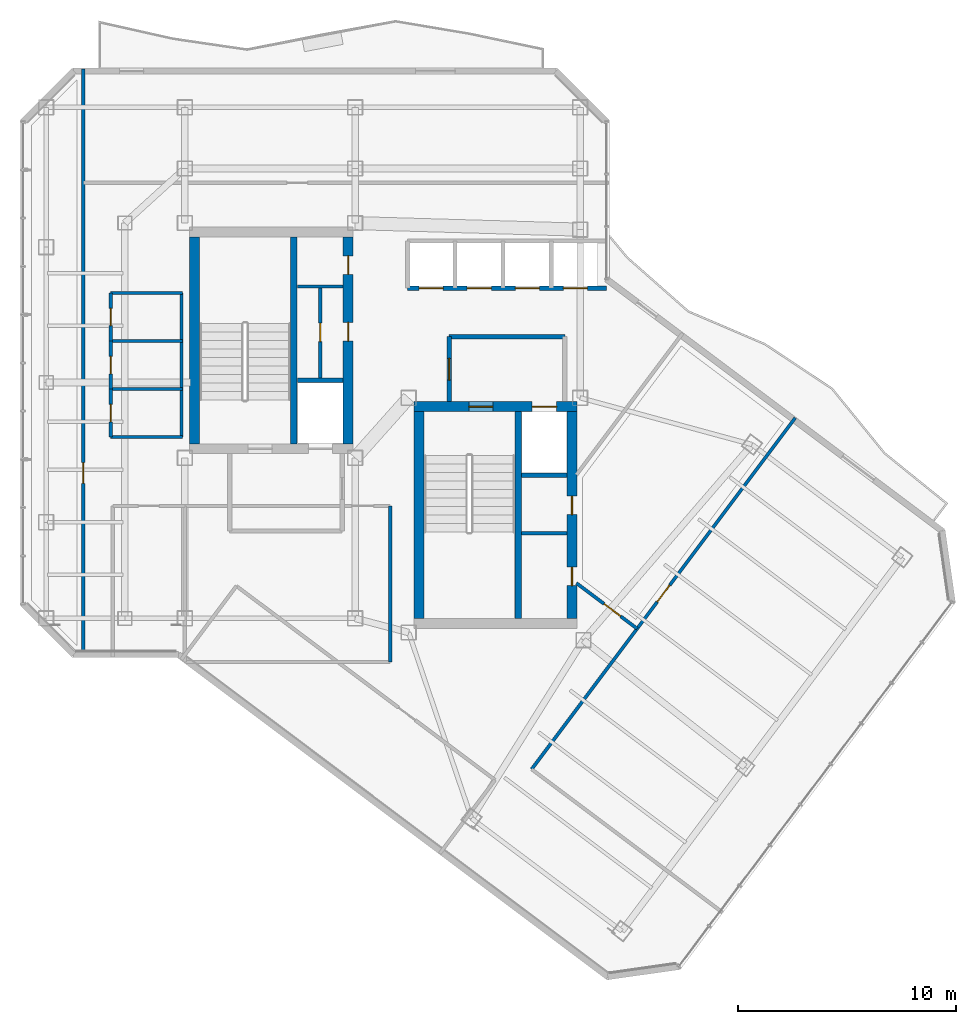
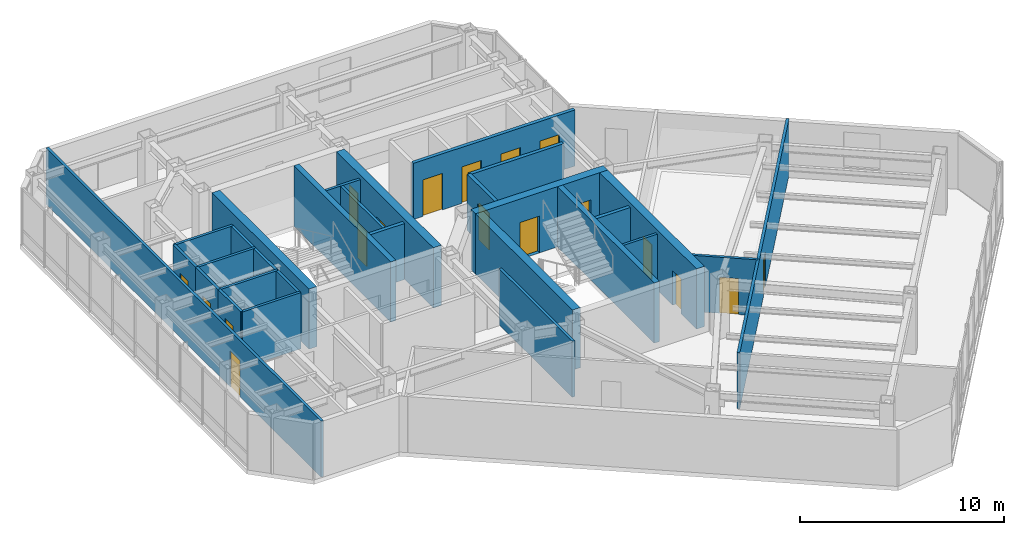
# One storey, part 20 of 25: 27 walls, 18 doors, 18 openings.
"""IFC4 building model written with IfcOpenShell, lengths in metres."""

from ifc_helpers import new_model, si_unit, direction, frame, frame_2d, origin, place, context, subcontext, project, spatial, rectangle, extrude, material, layer, layer_set, type_object, element, fill, save


model = new_model("IFC4")

# Units and contexts
model_context = context("Model", 3, precision=1e-05, world=origin(), true_north=direction((0.0, 1.0)))
body_context = subcontext(model_context, "Body", "Model", "MODEL_VIEW")
ifc_project = project(units=[si_unit("LENGTHUNIT", "METRE"), si_unit("AREAUNIT", "SQUARE_METRE"), si_unit("VOLUMEUNIT", "CUBIC_METRE"), si_unit("PLANEANGLEUNIT", "RADIAN"), si_unit("MASSUNIT", "GRAM", prefix="KILO")], contexts=[model_context])

# Site, building, storey
site_placement = place(None, origin())
site = spatial("IfcSite", under=ifc_project, at=site_placement, CompositionType="ELEMENT")
building_placement = place(site_placement, origin())
building = spatial("IfcBuilding", under=site, at=building_placement, Name="Hatsunagi Terrace Concourse", CompositionType="ELEMENT")
storey_placement = place(building_placement, frame((0.0, 0.0, 220.35009765625)))
storey = spatial("IfcBuildingStorey", under=building, at=storey_placement, Name="L58", CompositionType="ELEMENT", Elevation=220.35009765625)

# Wall
ifc_material_1 = material(Name="Concrete Fc42", Category="concrete")
ifc_layer_1 = layer(ifc_material_1, 0.449951171875)
ifc_layer_set_1 = layer_set([ifc_layer_1], Name="CoreShearWall_Fc42_450")
wall_type_1 = type_object("IfcWallType", Name="CoreShearWall_Fc42_450", PredefinedType="SHEAR", material=ifc_layer_set_1)
wall_1_placement = place(storey_placement, frame((25.9951171875, 33.18994140625, 0.0), z_axis=(0.0, 0.0, 1.0), x_axis=(0.0, 1.0, 0.0)))
element("IfcWall", 1, at=wall_1_placement, inside=storey, type_object=wall_type_1, Name="Core A Shear Wall W L58", PredefinedType="SHEAR", context=body_context, shape_type="SweptSolid", body=[
    extrude(rectangle(XDim=9.47998046875, YDim=0.449951171875, at=frame_2d((4.739990234375, 0.0))), origin(), (0.0, 0.0, 1.0), 3.599853515625),
])

# Wall, openings, doors
wall_2_placement = place(storey_placement, frame((33.02490234375, 33.18994140625, 0.0), z_axis=(0.0, 0.0, 1.0), x_axis=(0.0, 1.0, 0.0)))
wall_2 = element("IfcWall", 2, at=wall_2_placement, inside=storey, type_object=wall_type_1, Name="Core A Shear Wall E L58", PredefinedType="SHEAR", context=body_context, shape_type="SweptSolid", body=[
    extrude(rectangle(XDim=9.47998046875, YDim=0.449951171875, at=frame_2d((4.739990234375, 0.0))), origin(), (0.0, 0.0, 1.0), 3.599853515625),
])
opening_1_placement = place(wall_2_placement, frame((4.7099609375, 0.0, 0.0)))
opening_1 = element("IfcOpeningElement", 3, at=opening_1_placement, cuts=wall_2, Name="Opening DR-085", PredefinedType="OPENING", context=body_context, shape_type="SweptSolid", body=[
    extrude(rectangle(XDim=0.85009765625, YDim=2.080078125, at=frame_2d((0.425048828125, 1.0400390625))), frame((0.0, 0.23486328125, 0.0), z_axis=(0.0, -1.0, 0.0), x_axis=(1.0, 0.0, 0.0)), (0.0, 0.0, 1.0), 0.469970703125),
])
opening_2_placement = place(wall_2_placement, frame((7.760009765625, 0.0, 0.0)))
opening_2 = element("IfcOpeningElement", 4, at=opening_2_placement, cuts=wall_2, Name="Opening DR-085", PredefinedType="OPENING", context=body_context, shape_type="SweptSolid", body=[
    extrude(rectangle(XDim=0.85009765625, YDim=2.080078125, at=frame_2d((0.425048828125, 1.0400390625))), frame((0.0, 0.23486328125, 0.0), z_axis=(0.0, -1.0, 0.0), x_axis=(1.0, 0.0, 0.0)), (0.0, 0.0, 1.0), 0.469970703125),
])
ifc_material_2 = material(Name="Painted steel", Category="steel")
door_type_1 = type_object("IfcDoorType", Name="RiserAccessDoor_EI60_850", OperationType="NOTDEFINED", PredefinedType="DOOR", material=ifc_material_2)
door_1_placement = place(opening_1_placement, origin())
door_1 = element("IfcDoor", 5, at=door_1_placement, inside=storey, type_object=door_type_1, Name="Core A Riser Door L58-1", OperationType="SINGLE_SWING_LEFT", OverallHeight=2.080078125, OverallWidth=0.85009765625, PredefinedType="DOOR", context=body_context, shape_type="SweptSolid", body=[
    extrude(rectangle(XDim=0.85009765625, YDim=2.080078125, at=frame_2d((0.425048828125, 1.0400390625))), frame((0.0, 0.02490234375, 0.0), z_axis=(0.0, -1.0, 0.0), x_axis=(1.0, 0.0, 0.0)), (0.0, 0.0, 1.0), 0.050048828125),
])
fill(opening_1, door_1)
door_2_placement = place(opening_2_placement, origin())
door_2 = element("IfcDoor", 6, at=door_2_placement, inside=storey, type_object=door_type_1, Name="Core A Riser Door L58-2", OperationType="SINGLE_SWING_LEFT", OverallHeight=2.080078125, OverallWidth=0.85009765625, PredefinedType="DOOR", context=body_context, shape_type="SweptSolid", body=[
    extrude(rectangle(XDim=0.85009765625, YDim=2.080078125, at=frame_2d((0.425048828125, 1.0400390625))), frame((0.0, 0.02490234375, 0.0), z_axis=(0.0, -1.0, 0.0), x_axis=(1.0, 0.0, 0.0)), (0.0, 0.0, 1.0), 0.050048828125),
])
fill(opening_2, door_2)

wall_3_placement = place(storey_placement, frame((36.0400390625, 34.89501953125, 0.0), z_axis=(0.0, 0.0, 1.0), x_axis=(1.0, 0.0, 0.0)))
wall_3 = element("IfcWall", 7, at=wall_3_placement, inside=storey, type_object=wall_type_1, Name="Core B Shear Wall N L58", PredefinedType="SHEAR", context=body_context, shape_type="SweptSolid", body=[
    extrude(rectangle(XDim=7.4599609375, YDim=0.449951171875, at=frame_2d((3.72998046875, 0.0))), origin(), (0.0, 0.0, 1.0), 3.599853515625),
])
opening_3_placement = place(wall_3_placement, frame((2.510009765625, 0.0, 0.0)))
opening_3 = element("IfcOpeningElement", 8, at=opening_3_placement, cuts=wall_3, Name="Opening DR-110S", PredefinedType="OPENING", context=body_context, shape_type="SweptSolid", body=[
    extrude(rectangle(XDim=1.10009765625, YDim=2.199951171875, at=frame_2d((0.550048828125, 1.10009765625))), frame((0.0, 0.23486328125, 0.0), z_axis=(0.0, -1.0, 0.0), x_axis=(1.0, 0.0, 0.0)), (0.0, 0.0, 1.0), 0.469970703125),
])
opening_4_placement = place(wall_3_placement, frame((5.409912109375, 0.0, 0.0)))
opening_4 = element("IfcOpeningElement", 9, at=opening_4_placement, cuts=wall_3, Name="Opening LD-02", PredefinedType="OPENING", context=body_context, shape_type="SweptSolid", body=[
    extrude(rectangle(XDim=1.1201171875, YDim=2.14990234375, at=frame_2d((0.56005859375, 1.074951171875))), frame((0.0, 0.23486328125, 0.0), z_axis=(0.0, -1.0, 0.0), x_axis=(1.0, 0.0, 0.0)), (0.0, 0.0, 1.0), 0.469970703125),
])
ifc_material_3 = material(Name="Stainless steel", Category="steel")
door_type_2 = type_object("IfcDoorType", Name="LiftLandingDoor_LD02", OperationType="SLIDING_TO_RIGHT", PredefinedType="USERDEFINED", material=ifc_material_3)
door_3_placement = place(opening_4_placement, origin())
door_3 = element("IfcDoor", 10, at=door_3_placement, inside=storey, type_object=door_type_2, Name="Lift landing door FF-02 L58", ObjectType="SLIDING_LANDING_DOOR", OperationType="SLIDING_TO_RIGHT", OverallHeight=2.14990234375, OverallWidth=1.1201171875, PredefinedType="USERDEFINED", context=body_context, shape_type="SweptSolid", body=[
    extrude(rectangle(XDim=1.1201171875, YDim=2.14990234375, at=frame_2d((0.56005859375, 1.074951171875))), frame((0.0, 0.02490234375, 0.0), z_axis=(0.0, -1.0, 0.0), x_axis=(1.0, 0.0, 0.0)), (0.0, 0.0, 1.0), 0.050048828125),
])
fill(opening_4, door_3)
ifc_material_4 = material(Name="Painted steel", Category="steel")
door_type_3 = type_object("IfcDoorType", Name="StairFireDoor_EI60_1100", OperationType="NOTDEFINED", PredefinedType="DOOR", material=ifc_material_4)
door_4_placement = place(opening_3_placement, origin())
door_4 = element("IfcDoor", 11, at=door_4_placement, inside=storey, type_object=door_type_3, Name="Stair ST-B Exit Door L58", OperationType="SINGLE_SWING_RIGHT", OverallHeight=2.199951171875, OverallWidth=1.10009765625, PredefinedType="DOOR", context=body_context, shape_type="SweptSolid", body=[
    extrude(rectangle(XDim=1.10009765625, YDim=2.199951171875, at=frame_2d((0.550048828125, 1.10009765625))), frame((0.0, 0.02490234375, 0.0), z_axis=(0.0, -1.0, 0.0), x_axis=(1.0, 0.0, 0.0)), (0.0, 0.0, 1.0), 0.050048828125),
])
fill(opening_3, door_4)

# Wall
wall_4_placement = place(storey_placement, frame((36.264892578125, 25.18994140625, 0.0), z_axis=(0.0, 0.0, 1.0), x_axis=(0.0, 1.0, 0.0)))
element("IfcWall", 12, at=wall_4_placement, inside=storey, type_object=wall_type_1, Name="Core B Shear Wall W L58", PredefinedType="SHEAR", context=body_context, shape_type="SweptSolid", body=[
    extrude(rectangle(XDim=9.47998046875, YDim=0.449951171875, at=frame_2d((4.739990234375, 0.0))), origin(), (0.0, 0.0, 1.0), 3.599853515625),
])

# Wall, openings, doors
wall_5_placement = place(storey_placement, frame((43.27490234375, 25.18994140625, 0.0), z_axis=(0.0, 0.0, 1.0), x_axis=(0.0, 1.0, 0.0)))
wall_5 = element("IfcWall", 13, at=wall_5_placement, inside=storey, type_object=wall_type_1, Name="Core B Shear Wall E L58", PredefinedType="SHEAR", context=body_context, shape_type="SweptSolid", body=[
    extrude(rectangle(XDim=9.47998046875, YDim=0.449951171875, at=frame_2d((4.739990234375, 0.0))), origin(), (0.0, 0.0, 1.0), 3.599853515625),
])
opening_5_placement = place(wall_5_placement, frame((1.510009765625, 0.0, 0.0)))
opening_5 = element("IfcOpeningElement", 14, at=opening_5_placement, cuts=wall_5, Name="Opening DR-085", PredefinedType="OPENING", context=body_context, shape_type="SweptSolid", body=[
    extrude(rectangle(XDim=0.85009765625, YDim=2.080078125, at=frame_2d((0.425048828125, 1.0400390625))), frame((0.0, 0.23486328125, 0.0), z_axis=(0.0, -1.0, 0.0), x_axis=(1.0, 0.0, 0.0)), (0.0, 0.0, 1.0), 0.469970703125),
])
opening_6_placement = place(wall_5_placement, frame((4.760009765625, 0.0, 0.0)))
opening_6 = element("IfcOpeningElement", 15, at=opening_6_placement, cuts=wall_5, Name="Opening DR-085", PredefinedType="OPENING", context=body_context, shape_type="SweptSolid", body=[
    extrude(rectangle(XDim=0.85009765625, YDim=2.080078125, at=frame_2d((0.425048828125, 1.0400390625))), frame((0.0, 0.23486328125, 0.0), z_axis=(0.0, -1.0, 0.0), x_axis=(1.0, 0.0, 0.0)), (0.0, 0.0, 1.0), 0.469970703125),
])
door_5_placement = place(opening_5_placement, origin())
door_5 = element("IfcDoor", 16, at=door_5_placement, inside=storey, type_object=door_type_1, Name="Core B Riser Door L58-1", OperationType="SINGLE_SWING_RIGHT", OverallHeight=2.080078125, OverallWidth=0.85009765625, PredefinedType="DOOR", context=body_context, shape_type="SweptSolid", body=[
    extrude(rectangle(XDim=0.85009765625, YDim=2.080078125, at=frame_2d((0.425048828125, 1.0400390625))), frame((0.0, 0.02490234375, 0.0), z_axis=(0.0, -1.0, 0.0), x_axis=(1.0, 0.0, 0.0)), (0.0, 0.0, 1.0), 0.050048828125),
])
fill(opening_5, door_5)
door_6_placement = place(opening_6_placement, origin())
door_6 = element("IfcDoor", 17, at=door_6_placement, inside=storey, type_object=door_type_1, Name="Core B Riser Door L58-2", OperationType="SINGLE_SWING_RIGHT", OverallHeight=2.080078125, OverallWidth=0.85009765625, PredefinedType="DOOR", context=body_context, shape_type="SweptSolid", body=[
    extrude(rectangle(XDim=0.85009765625, YDim=2.080078125, at=frame_2d((0.425048828125, 1.0400390625))), frame((0.0, 0.02490234375, 0.0), z_axis=(0.0, -1.0, 0.0), x_axis=(1.0, 0.0, 0.0)), (0.0, 0.0, 1.0), 0.050048828125),
])
fill(opening_6, door_6)

# Walls
ifc_material_5 = material(Name="Concrete Fc48", Category="concrete")
ifc_layer_2 = layer(ifc_material_5, 0.300048828125)
ifc_layer_set_2 = layer_set([ifc_layer_2], Name="CoreStairDivider_Fc48_300")
wall_type_2 = type_object("IfcWallType", Name="CoreStairDivider_Fc48_300", PredefinedType="SHEAR", material=ifc_layer_set_2)
for number, where, z_axis, x_axis, name in (
    (18, (30.5400390625, 33.18994140625, 0.0), (0.0, 0.0, 1.0), (0.0, 1.0, 0.0), "Core A Shear Wall D L58"),
    (19, (40.81005859375, 25.18994140625, 0.0), (0.0, 0.0, 1.0), (0.0, 1.0, 0.0), "Core B Shear Wall D L58"),
):
    element("IfcWall", number, at=place(storey_placement, frame(where, z_axis=z_axis, x_axis=x_axis)), inside=storey, type_object=wall_type_2, Name=name, PredefinedType="SHEAR", context=body_context, shape_type="SweptSolid", body=[
        extrude(rectangle(XDim=9.47998046875, YDim=0.300048828125, at=frame_2d((4.739990234375, 0.0))), origin(), (0.0, 0.0, 1.0), 3.599853515625),
    ])

# Wall, opening, door
ifc_material_6 = material(Name="Acoustic mineral board", Category="gypsum")
ifc_layer_3 = layer(ifc_material_6, 0.14990234375)
ifc_layer_set_3 = layer_set([ifc_layer_3], Name="PartitionWall_EI60_150")
wall_type_3 = type_object("IfcWallType", Name="PartitionWall_EI60_150", PredefinedType="PARTITIONING", material=ifc_layer_set_3)
wall_6_placement = place(storey_placement, frame((31.75, 36.179931640625, 0.0), z_axis=(0.0, 0.0, 1.0), x_axis=(0.0, 1.0, 0.0)))
wall_6 = element("IfcWall", 20, at=wall_6_placement, inside=storey, type_object=wall_type_3, Name="Interior Partition IW-L58-002", PredefinedType="PARTITIONING", context=body_context, shape_type="SweptSolid", body=[
    extrude(rectangle(XDim=4.239990234375, YDim=0.14990234375, at=frame_2d((2.1201171875, 0.0))), origin(), (0.0, 0.0, 1.0), 3.349853515625),
])
opening_7_placement = place(wall_6_placement, frame((1.695068359375, 0.0, 0.0)))
opening_7 = element("IfcOpeningElement", 21, at=opening_7_placement, cuts=wall_6, Name="Opening DR-085", PredefinedType="OPENING", context=body_context, shape_type="SweptSolid", body=[
    extrude(rectangle(XDim=0.85009765625, YDim=2.080078125, at=frame_2d((0.425048828125, 1.0400390625))), frame((0.0, 0.0849609375, 0.0), z_axis=(0.0, -1.0, 0.0), x_axis=(1.0, 0.0, 0.0)), (0.0, 0.0, 1.0), 0.169921875),
])
door_7_placement = place(opening_7_placement, origin())
door_7 = element("IfcDoor", 22, at=door_7_placement, inside=storey, type_object=door_type_1, Name="Core A Sub-Riser Door L58", OperationType="SINGLE_SWING_LEFT", OverallHeight=2.080078125, OverallWidth=0.85009765625, PredefinedType="DOOR", context=body_context, shape_type="SweptSolid", body=[
    extrude(rectangle(XDim=0.85009765625, YDim=2.080078125, at=frame_2d((0.425048828125, 1.0400390625))), frame((0.0, 0.02490234375, 0.0), z_axis=(0.0, -1.0, 0.0), x_axis=(1.0, 0.0, 0.0)), (0.0, 0.0, 1.0), 0.050048828125),
])
fill(opening_7, door_7)

# Walls
wall_7_placement = place(storey_placement, frame((30.699951171875, 40.39990234375, 0.0), z_axis=(0.0, 0.0, 1.0), x_axis=(1.0, 0.0, 0.0)))
element("IfcWall", 23, at=wall_7_placement, inside=storey, type_object=wall_type_3, Name="Interior Partition IW-L58-003", PredefinedType="PARTITIONING", context=body_context, shape_type="SweptSolid", body=[
    extrude(rectangle(XDim=2.10009765625, YDim=0.14990234375, at=frame_2d((1.050048828125, 0.0))), origin(), (0.0, 0.0, 1.0), 3.349853515625),
])
wall_8_placement = place(storey_placement, frame((40.969970703125, 29.10009765625, 0.0), z_axis=(0.0, 0.0, 1.0), x_axis=(1.0, 0.0, 0.0)))
element("IfcWall", 24, at=wall_8_placement, inside=storey, type_object=wall_type_3, Name="Interior Partition IW-L58-005", PredefinedType="PARTITIONING", context=body_context, shape_type="SweptSolid", body=[
    extrude(rectangle(XDim=2.080078125, YDim=0.14990234375, at=frame_2d((1.0400390625, 0.0))), origin(), (0.0, 0.0, 1.0), 3.349853515625),
])
for number, where, z_axis, x_axis, name in (
    (25, (22.14990234375, 33.5, 0.0), (0.0, 0.0, 1.0), (1.0, 0.0, 0.0), "Interior Partition IW-L58-018"),
    (26, (22.14990234375, 40.10009765625, 0.0), (0.0, 0.0, 1.0), (1.0, 0.0, 0.0), "Interior Partition IW-L58-019"),
):
    element("IfcWall", number, at=place(storey_placement, frame(where, z_axis=z_axis, x_axis=x_axis)), inside=storey, type_object=wall_type_3, Name=name, PredefinedType="PARTITIONING", context=body_context, shape_type="SweptSolid", body=[
        extrude(rectangle(XDim=3.300048828125, YDim=0.14990234375, at=frame_2d((1.64990234375, 0.0))), origin(), (0.0, 0.0, 1.0), 3.349853515625),
    ])
wall_9_placement = place(storey_placement, frame((25.39990234375, 33.5, 0.0), z_axis=(0.0, 0.0, 1.0), x_axis=(0.0, 1.0, 0.0)))
element("IfcWall", 27, at=wall_9_placement, inside=storey, type_object=wall_type_3, Name="Interior Partition IW-L58-020", PredefinedType="PARTITIONING", context=body_context, shape_type="SweptSolid", body=[
    extrude(rectangle(XDim=6.60009765625, YDim=0.14990234375, at=frame_2d((3.300048828125, 0.0))), origin(), (0.0, 0.0, 1.0), 3.349853515625),
])
for number, where, z_axis, x_axis, name in (
    (28, (22.14990234375, 35.699951171875, 0.0), (0.0, 0.0, 1.0), (1.0, 0.0, 0.0), "Interior Partition IW-L58-021"),
    (29, (22.14990234375, 37.89990234375, 0.0), (0.0, 0.0, 1.0), (1.0, 0.0, 0.0), "Interior Partition IW-L58-022"),
):
    element("IfcWall", number, at=place(storey_placement, frame(where, z_axis=z_axis, x_axis=x_axis)), inside=storey, type_object=wall_type_3, Name=name, PredefinedType="PARTITIONING", context=body_context, shape_type="SweptSolid", body=[
        extrude(rectangle(XDim=3.300048828125, YDim=0.14990234375, at=frame_2d((1.64990234375, 0.0))), origin(), (0.0, 0.0, 1.0), 3.349853515625),
    ])

# Wall, opening, door
wall_10_placement = place(storey_placement, frame((22.14990234375, 33.5, 0.0), z_axis=(0.0, 0.0, 1.0), x_axis=(0.0, 1.0, 0.0)))
wall_10 = element("IfcWall", 30, at=wall_10_placement, inside=storey, type_object=wall_type_3, Name="Interior Partition IW-L58-023", PredefinedType="PARTITIONING", context=body_context, shape_type="SweptSolid", body=[
    extrude(rectangle(XDim=2.199951171875, YDim=0.14990234375, at=frame_2d((1.10009765625, 0.0))), origin(), (0.0, 0.0, 1.0), 3.349853515625),
])
opening_8_placement = place(wall_10_placement, frame((0.699951171875, 0.0, 0.0)))
opening_8 = element("IfcOpeningElement", 31, at=opening_8_placement, cuts=wall_10, Name="Opening DR-080", PredefinedType="OPENING", context=body_context, shape_type="SweptSolid", body=[
    extrude(rectangle(XDim=0.800048828125, YDim=2.06005859375, at=frame_2d((0.39990234375, 1.030029296875))), frame((0.0, 0.0849609375, 0.0), z_axis=(0.0, -1.0, 0.0), x_axis=(1.0, 0.0, 0.0)), (0.0, 0.0, 1.0), 0.169921875),
])
ifc_material_7 = material(Name="Hardwood timber", Category="wood")
door_type_4 = type_object("IfcDoorType", Name="BathroomDoor_800", OperationType="NOTDEFINED", PredefinedType="DOOR", material=ifc_material_7)
door_8_placement = place(opening_8_placement, origin())
door_8 = element("IfcDoor", 32, at=door_8_placement, inside=storey, type_object=door_type_4, Name="Accessible WC Door L58", OperationType="SINGLE_SWING_RIGHT", OverallHeight=2.06005859375, OverallWidth=0.800048828125, PredefinedType="DOOR", context=body_context, shape_type="SweptSolid", body=[
    extrude(rectangle(XDim=0.800048828125, YDim=2.06005859375, at=frame_2d((0.39990234375, 1.030029296875))), frame((0.0, 0.02490234375, 0.0), z_axis=(0.0, -1.0, 0.0), x_axis=(1.0, 0.0, 0.0)), (0.0, 0.0, 1.0), 0.050048828125),
])
fill(opening_8, door_8)

wall_11_placement = place(storey_placement, frame((22.14990234375, 35.699951171875, 0.0), z_axis=(0.0, 0.0, 1.0), x_axis=(0.0, 1.0, 0.0)))
wall_11 = element("IfcWall", 33, at=wall_11_placement, inside=storey, type_object=wall_type_3, Name="Interior Partition IW-L58-024", PredefinedType="PARTITIONING", context=body_context, shape_type="SweptSolid", body=[
    extrude(rectangle(XDim=2.199951171875, YDim=0.14990234375, at=frame_2d((1.10009765625, 0.0))), origin(), (0.0, 0.0, 1.0), 3.349853515625),
])
opening_9_placement = place(wall_11_placement, frame((0.699951171875, 0.0, 0.0)))
opening_9 = element("IfcOpeningElement", 34, at=opening_9_placement, cuts=wall_11, Name="Opening DR-080", PredefinedType="OPENING", context=body_context, shape_type="SweptSolid", body=[
    extrude(rectangle(XDim=0.800048828125, YDim=2.06005859375, at=frame_2d((0.39990234375, 1.030029296875))), frame((0.0, 0.0849609375, 0.0), z_axis=(0.0, -1.0, 0.0), x_axis=(1.0, 0.0, 0.0)), (0.0, 0.0, 1.0), 0.169921875),
])
door_9_placement = place(opening_9_placement, origin())
door_9 = element("IfcDoor", 35, at=door_9_placement, inside=storey, type_object=door_type_4, Name="Female Restroom Door L58", OperationType="SINGLE_SWING_RIGHT", OverallHeight=2.06005859375, OverallWidth=0.800048828125, PredefinedType="DOOR", context=body_context, shape_type="SweptSolid", body=[
    extrude(rectangle(XDim=0.800048828125, YDim=2.06005859375, at=frame_2d((0.39990234375, 1.030029296875))), frame((0.0, 0.02490234375, 0.0), z_axis=(0.0, -1.0, 0.0), x_axis=(1.0, 0.0, 0.0)), (0.0, 0.0, 1.0), 0.050048828125),
])
fill(opening_9, door_9)

wall_12_placement = place(storey_placement, frame((22.14990234375, 37.89990234375, 0.0), z_axis=(0.0, 0.0, 1.0), x_axis=(0.0, 1.0, 0.0)))
wall_12 = element("IfcWall", 36, at=wall_12_placement, inside=storey, type_object=wall_type_3, Name="Interior Partition IW-L58-025", PredefinedType="PARTITIONING", context=body_context, shape_type="SweptSolid", body=[
    extrude(rectangle(XDim=2.2001953125, YDim=0.14990234375, at=frame_2d((1.10009765625, 0.0))), origin(), (0.0, 0.0, 1.0), 3.349853515625),
])
opening_10_placement = place(wall_12_placement, frame((0.699951171875, 0.0, 0.0)))
opening_10 = element("IfcOpeningElement", 37, at=opening_10_placement, cuts=wall_12, Name="Opening DR-080", PredefinedType="OPENING", context=body_context, shape_type="SweptSolid", body=[
    extrude(rectangle(XDim=0.800048828125, YDim=2.06005859375, at=frame_2d((0.39990234375, 1.030029296875))), frame((0.0, 0.0849609375, 0.0), z_axis=(0.0, -1.0, 0.0), x_axis=(1.0, 0.0, 0.0)), (0.0, 0.0, 1.0), 0.169921875),
])
door_10_placement = place(opening_10_placement, origin())
door_10 = element("IfcDoor", 38, at=door_10_placement, inside=storey, type_object=door_type_4, Name="Male Restroom Door L58", OperationType="SINGLE_SWING_RIGHT", OverallHeight=2.06005859375, OverallWidth=0.800048828125, PredefinedType="DOOR", context=body_context, shape_type="SweptSolid", body=[
    extrude(rectangle(XDim=0.800048828125, YDim=2.06005859375, at=frame_2d((0.39990234375, 1.030029296875))), frame((0.0, 0.02490234375, 0.0), z_axis=(0.0, -1.0, 0.0), x_axis=(1.0, 0.0, 0.0)), (0.0, 0.0, 1.0), 0.050048828125),
])
fill(opening_10, door_10)

# Wall
wall_13_placement = place(storey_placement, frame((34.949951171875, 23.199951171875, 0.0), z_axis=(0.0, 0.0, 1.0), x_axis=(0.0, 1.0, 0.0)))
element("IfcWall", 39, at=wall_13_placement, inside=storey, type_object=wall_type_3, Name="Interior Partition IW-L58-029", PredefinedType="PARTITIONING", context=body_context, shape_type="SweptSolid", body=[
    extrude(rectangle(XDim=7.150146484375, YDim=0.14990234375, at=frame_2d((3.5751953125, 0.0))), origin(), (0.0, 0.0, 1.0), 3.349853515625),
])

# Wall, opening, door
wall_14_placement = place(storey_placement, frame((20.89990234375, 23.43994140625, 0.0), z_axis=(0.0, 0.0, 1.0), x_axis=(0.0, 1.0, 0.0)))
wall_14 = element("IfcWall", 40, at=wall_14_placement, inside=storey, type_object=wall_type_3, Name="Interior Partition IW-L58-030", PredefinedType="PARTITIONING", context=body_context, shape_type="SweptSolid", body=[
    extrude(rectangle(XDim=26.920166015625, YDim=0.14990234375, at=frame_2d((13.4599609375, 0.0))), origin(), (0.0, 0.0, 1.0), 3.349853515625),
])
opening_11_placement = place(wall_14_placement, frame((7.943115234375, 0.0, 0.0)))
opening_11 = element("IfcOpeningElement", 41, at=opening_11_placement, cuts=wall_14, Name="Opening DR-095", PredefinedType="OPENING", context=body_context, shape_type="SweptSolid", body=[
    extrude(rectangle(XDim=0.949951171875, YDim=2.14990234375, at=frame_2d((0.47509765625, 1.074951171875))), frame((0.0, 0.0849609375, 0.0), z_axis=(0.0, -1.0, 0.0), x_axis=(1.0, 0.0, 0.0)), (0.0, 0.0, 1.0), 0.169921875),
])
ifc_material_8 = material(Name="Hardwood timber", Category="wood")
door_type_5 = type_object("IfcDoorType", Name="InteriorSuiteDoor_EI30_950", OperationType="NOTDEFINED", PredefinedType="DOOR", material=ifc_material_8)
door_11_placement = place(opening_11_placement, origin())
door_11 = element("IfcDoor", 42, at=door_11_placement, inside=storey, type_object=door_type_5, Name="Open Plan Office L58-OW1 Door", OperationType="SINGLE_SWING_RIGHT", OverallHeight=2.14990234375, OverallWidth=0.949951171875, PredefinedType="DOOR", context=body_context, shape_type="SweptSolid", body=[
    extrude(rectangle(XDim=0.949951171875, YDim=2.14990234375, at=frame_2d((0.47509765625, 1.074951171875))), frame((0.0, 0.02490234375, 0.0), z_axis=(0.0, -1.0, 0.0), x_axis=(1.0, 0.0, 0.0)), (0.0, 0.0, 1.0), 0.050048828125),
])
fill(opening_11, door_11)

wall_15_placement = place(storey_placement, frame((41.429931640625, 18.2900390625, 0.0), z_axis=(0.0, 0.0, 1.0), x_axis=(0.600007769734, 0.79999417264, 0.0)))
wall_15 = element("IfcWall", 43, at=wall_15_placement, inside=storey, type_object=wall_type_3, Name="Interior Partition IW-L58-033", PredefinedType="PARTITIONING", context=body_context, shape_type="SweptSolid", body=[
    extrude(rectangle(XDim=20.110107421875, YDim=0.14990234375, at=frame_2d((10.05517578125, 0.0))), origin(), (0.0, 0.0, 1.0), 3.349853515625),
])
opening_12_placement = place(wall_15_placement, frame((9.580078125, 0.0, 0.0)))
opening_12 = element("IfcOpeningElement", 44, at=opening_12_placement, cuts=wall_15, Name="Opening DR-095", PredefinedType="OPENING", context=body_context, shape_type="SweptSolid", body=[
    extrude(rectangle(XDim=0.949951171875, YDim=2.14990234375, at=frame_2d((0.47509765625, 1.074951171875))), frame((0.0, 0.0849609375, 0.0), z_axis=(0.0, -1.0, 0.0), x_axis=(1.0, 0.0, 0.0)), (0.0, 0.0, 1.0), 0.169921875),
])
door_12_placement = place(opening_12_placement, origin())
door_12 = element("IfcDoor", 45, at=door_12_placement, inside=storey, type_object=door_type_5, Name="Design Studio L58-OSE1 Door", OperationType="SINGLE_SWING_RIGHT", OverallHeight=2.14990234375, OverallWidth=0.949951171875, PredefinedType="DOOR", context=body_context, shape_type="SweptSolid", body=[
    extrude(rectangle(XDim=0.949951171875, YDim=2.14990234375, at=frame_2d((0.47509765625, 1.074951171875))), frame((0.0, 0.02490234375, 0.0), z_axis=(0.0, -1.0, 0.0), x_axis=(1.0, 0.0, 0.0)), (0.0, 0.0, 1.0), 0.050048828125),
])
fill(opening_12, door_12)

wall_16_placement = place(storey_placement, frame((43.47998046875, 26.81494140625, 0.0), z_axis=(0.0, 0.0, 1.0), x_axis=(0.800008430676, -0.599988758934, 0.0)))
wall_16 = element("IfcWall", 46, at=wall_16_placement, inside=storey, type_object=wall_type_3, Name="Interior Partition IW-L58-034", PredefinedType="PARTITIONING", context=body_context, shape_type="SweptSolid", body=[
    extrude(rectangle(XDim=3.47509765625, YDim=0.14990234375, at=frame_2d((1.737548828125, 0.0))), origin(), (0.0, 0.0, 1.0), 3.349853515625),
])
opening_13_placement = place(wall_16_placement, frame((1.580078125, 0.0, 0.0)))
opening_13 = element("IfcOpeningElement", 47, at=opening_13_placement, cuts=wall_16, Name="Opening DR-095", PredefinedType="OPENING", context=body_context, shape_type="SweptSolid", body=[
    extrude(rectangle(XDim=0.949951171875, YDim=2.14990234375, at=frame_2d((0.47509765625, 1.074951171875))), frame((0.0, 0.0849609375, 0.0), z_axis=(0.0, -1.0, 0.0), x_axis=(1.0, 0.0, 0.0)), (0.0, 0.0, 1.0), 0.169921875),
])
door_13_placement = place(opening_13_placement, origin())
door_13 = element("IfcDoor", 48, at=door_13_placement, inside=storey, type_object=door_type_5, Name="Collaboration Lounge L58-OSEN1 Door", OperationType="SINGLE_SWING_LEFT", OverallHeight=2.14990234375, OverallWidth=0.949951171875, PredefinedType="DOOR", context=body_context, shape_type="SweptSolid", body=[
    extrude(rectangle(XDim=0.949951171875, YDim=2.14990234375, at=frame_2d((0.47509765625, 1.074951171875))), frame((0.0, 0.02490234375, 0.0), z_axis=(0.0, -1.0, 0.0), x_axis=(1.0, 0.0, 0.0)), (0.0, 0.0, 1.0), 0.050048828125),
])
fill(opening_13, door_13)

# Walls
ifc_material_9 = material(Name="Acoustic mineral board", Category="gypsum")
ifc_layer_4 = layer(ifc_material_9, 0.199951171875)
ifc_layer_set_4 = layer_set([ifc_layer_4], Name="ShaftWall_EI120_200")
wall_type_4 = type_object("IfcWallType", Name="ShaftWall_EI120_200", PredefinedType="STANDARD", material=ifc_layer_set_4)
wall_17_placement = place(storey_placement, frame((30.699951171875, 36.10009765625, 0.0), z_axis=(0.0, 0.0, 1.0), x_axis=(1.0, 0.0, 0.0)))
element("IfcWall", 49, at=wall_17_placement, inside=storey, type_object=wall_type_4, Name="Interior Partition IW-L58-001", PredefinedType="STANDARD", context=body_context, shape_type="SweptSolid", body=[
    extrude(rectangle(XDim=2.10009765625, YDim=0.199951171875, at=frame_2d((1.050048828125, 0.0))), origin(), (0.0, 0.0, 1.0), 3.349853515625),
])
wall_18_placement = place(storey_placement, frame((40.969970703125, 31.760009765625, 0.0), z_axis=(0.0, 0.0, 1.0), x_axis=(1.0, 0.0, 0.0)))
element("IfcWall", 50, at=wall_18_placement, inside=storey, type_object=wall_type_4, Name="Interior Partition IW-L58-004", PredefinedType="STANDARD", context=body_context, shape_type="SweptSolid", body=[
    extrude(rectangle(XDim=2.080078125, YDim=0.199951171875, at=frame_2d((1.0400390625, 0.0))), origin(), (0.0, 0.0, 1.0), 3.349853515625),
])
wall_19_placement = place(storey_placement, frame((37.64990234375, 38.10009765625, 0.0), z_axis=(0.0, 0.0, 1.0), x_axis=(1.0, 0.0, 0.0)))
element("IfcWall", 51, at=wall_19_placement, inside=storey, type_object=wall_type_4, Name="Interior Partition IW-L58-009", PredefinedType="STANDARD", context=body_context, shape_type="SweptSolid", body=[
    extrude(rectangle(XDim=5.300048828125, YDim=0.199951171875, at=frame_2d((2.64990234375, 0.0))), origin(), (0.0, 0.0, 1.0), 3.349853515625),
])

# Wall, opening, door
wall_20_placement = place(storey_placement, frame((37.64990234375, 35.1201171875, 0.0), z_axis=(0.0, 0.0, 1.0), x_axis=(0.0, 1.0, 0.0)))
wall_20 = element("IfcWall", 52, at=wall_20_placement, inside=storey, type_object=wall_type_4, Name="Interior Partition IW-L58-011", PredefinedType="STANDARD", context=body_context, shape_type="SweptSolid", body=[
    extrude(rectangle(XDim=2.97998046875, YDim=0.199951171875, at=frame_2d((1.489990234375, 0.0))), origin(), (0.0, 0.0, 1.0), 3.349853515625),
])
opening_14_placement = place(wall_20_placement, frame((0.989990234375, 0.0, 0.0)))
opening_14 = element("IfcOpeningElement", 53, at=opening_14_placement, cuts=wall_20, Name="Opening DR-100F", PredefinedType="OPENING", context=body_context, shape_type="SweptSolid", body=[
    extrude(rectangle(XDim=1.0, YDim=2.199951171875, at=frame_2d((0.5, 1.10009765625))), frame((0.0, 0.10986328125, 0.0), z_axis=(0.0, -1.0, 0.0), x_axis=(1.0, 0.0, 0.0)), (0.0, 0.0, 1.0), 0.219970703125),
])
ifc_material_10 = material(Name="Painted steel", Category="steel")
door_type_6 = type_object("IfcDoorType", Name="FireDoor_EI60_1000", OperationType="NOTDEFINED", PredefinedType="DOOR", material=ifc_material_10)
door_14_placement = place(opening_14_placement, origin())
door_14 = element("IfcDoor", 54, at=door_14_placement, inside=storey, type_object=door_type_6, Name="Firefighting Lobby B Door L58", OperationType="SINGLE_SWING_RIGHT", OverallHeight=2.199951171875, OverallWidth=1.0, PredefinedType="DOOR", context=body_context, shape_type="SweptSolid", body=[
    extrude(rectangle(XDim=1.0, YDim=2.199951171875, at=frame_2d((0.5, 1.10009765625))), frame((0.0, 0.02490234375, 0.0), z_axis=(0.0, -1.0, 0.0), x_axis=(1.0, 0.0, 0.0)), (0.0, 0.0, 1.0), 0.050048828125),
])
fill(opening_14, door_14)

# Wall, openings, doors
wall_21_placement = place(storey_placement, frame((35.75, 40.320068359375, 0.0), z_axis=(0.0, 0.0, 1.0), x_axis=(1.0, 0.0, 0.0)))
wall_21 = element("IfcWall", 55, at=wall_21_placement, inside=storey, type_object=wall_type_4, Name="Interior Partition IW-L58-017", PredefinedType="STANDARD", context=body_context, shape_type="SweptSolid", body=[
    extrude(rectangle(XDim=9.110107421875, YDim=0.199951171875, at=frame_2d((4.55517578125, 0.0))), origin(), (0.0, 0.0, 1.0), 3.349853515625),
])
opening_15_placement = place(wall_21_placement, frame((0.530029296875, 0.0, 0.0)))
opening_15 = element("IfcOpeningElement", 56, at=opening_15_placement, cuts=wall_21, Name="Opening LD-04", PredefinedType="OPENING", context=body_context, shape_type="SweptSolid", body=[
    extrude(rectangle(XDim=1.10009765625, YDim=2.179931640625, at=frame_2d((0.550048828125, 1.08984375))), frame((0.0, 0.10986328125, 0.0), z_axis=(0.0, -1.0, 0.0), x_axis=(1.0, 0.0, 0.0)), (0.0, 0.0, 1.0), 0.219970703125),
])
opening_16_placement = place(wall_21_placement, frame((2.72998046875, 0.0, 0.0)))
opening_16 = element("IfcOpeningElement", 57, at=opening_16_placement, cuts=wall_21, Name="Opening LD-04", PredefinedType="OPENING", context=body_context, shape_type="SweptSolid", body=[
    extrude(rectangle(XDim=1.10009765625, YDim=2.179931640625, at=frame_2d((0.550048828125, 1.08984375))), frame((0.0, 0.10986328125, 0.0), z_axis=(0.0, -1.0, 0.0), x_axis=(1.0, 0.0, 0.0)), (0.0, 0.0, 1.0), 0.219970703125),
])
opening_17_placement = place(wall_21_placement, frame((4.929931640625, 0.0, 0.0)))
opening_17 = element("IfcOpeningElement", 58, at=opening_17_placement, cuts=wall_21, Name="Opening LD-04", PredefinedType="OPENING", context=body_context, shape_type="SweptSolid", body=[
    extrude(rectangle(XDim=1.10009765625, YDim=2.179931640625, at=frame_2d((0.550048828125, 1.08984375))), frame((0.0, 0.10986328125, 0.0), z_axis=(0.0, -1.0, 0.0), x_axis=(1.0, 0.0, 0.0)), (0.0, 0.0, 1.0), 0.219970703125),
])
opening_18_placement = place(wall_21_placement, frame((7.1298828125, 0.0, 0.0)))
opening_18 = element("IfcOpeningElement", 59, at=opening_18_placement, cuts=wall_21, Name="Opening LD-04", PredefinedType="OPENING", context=body_context, shape_type="SweptSolid", body=[
    extrude(rectangle(XDim=1.10009765625, YDim=2.179931640625, at=frame_2d((0.550048828125, 1.08984375))), frame((0.0, 0.10986328125, 0.0), z_axis=(0.0, -1.0, 0.0), x_axis=(1.0, 0.0, 0.0)), (0.0, 0.0, 1.0), 0.219970703125),
])
ifc_material_11 = material(Name="Stainless steel", Category="steel")
door_type_7 = type_object("IfcDoorType", Name="LiftLandingDoor_LD04", OperationType="SLIDING_TO_RIGHT", PredefinedType="USERDEFINED", material=ifc_material_11)
door_15_placement = place(opening_15_placement, origin())
door_15 = element("IfcDoor", 60, at=door_15_placement, inside=storey, type_object=door_type_7, Name="Lift landing door PL-05 L58", ObjectType="SLIDING_LANDING_DOOR", OperationType="SLIDING_TO_RIGHT", OverallHeight=2.179931640625, OverallWidth=1.10009765625, PredefinedType="USERDEFINED", context=body_context, shape_type="SweptSolid", body=[
    extrude(rectangle(XDim=1.10009765625, YDim=2.179931640625, at=frame_2d((0.550048828125, 1.08984375))), frame((0.0, 0.02490234375, 0.0), z_axis=(0.0, -1.0, 0.0), x_axis=(1.0, 0.0, 0.0)), (0.0, 0.0, 1.0), 0.050048828125),
])
fill(opening_15, door_15)
door_16_placement = place(opening_16_placement, origin())
door_16 = element("IfcDoor", 61, at=door_16_placement, inside=storey, type_object=door_type_7, Name="Lift landing door PL-06 L58", ObjectType="SLIDING_LANDING_DOOR", OperationType="SLIDING_TO_RIGHT", OverallHeight=2.179931640625, OverallWidth=1.10009765625, PredefinedType="USERDEFINED", context=body_context, shape_type="SweptSolid", body=[
    extrude(rectangle(XDim=1.10009765625, YDim=2.179931640625, at=frame_2d((0.550048828125, 1.08984375))), frame((0.0, 0.02490234375, 0.0), z_axis=(0.0, -1.0, 0.0), x_axis=(1.0, 0.0, 0.0)), (0.0, 0.0, 1.0), 0.050048828125),
])
fill(opening_16, door_16)
door_17_placement = place(opening_17_placement, origin())
door_17 = element("IfcDoor", 62, at=door_17_placement, inside=storey, type_object=door_type_7, Name="Lift landing door PL-07 L58", ObjectType="SLIDING_LANDING_DOOR", OperationType="SLIDING_TO_RIGHT", OverallHeight=2.179931640625, OverallWidth=1.10009765625, PredefinedType="USERDEFINED", context=body_context, shape_type="SweptSolid", body=[
    extrude(rectangle(XDim=1.10009765625, YDim=2.179931640625, at=frame_2d((0.550048828125, 1.08984375))), frame((0.0, 0.02490234375, 0.0), z_axis=(0.0, -1.0, 0.0), x_axis=(1.0, 0.0, 0.0)), (0.0, 0.0, 1.0), 0.050048828125),
])
fill(opening_17, door_17)
door_18_placement = place(opening_18_placement, origin())
door_18 = element("IfcDoor", 63, at=door_18_placement, inside=storey, type_object=door_type_7, Name="Lift landing door PL-08 L58", ObjectType="SLIDING_LANDING_DOOR", OperationType="SLIDING_TO_RIGHT", OverallHeight=2.179931640625, OverallWidth=1.10009765625, PredefinedType="USERDEFINED", context=body_context, shape_type="SweptSolid", body=[
    extrude(rectangle(XDim=1.10009765625, YDim=2.179931640625, at=frame_2d((0.550048828125, 1.08984375))), frame((0.0, 0.02490234375, 0.0), z_axis=(0.0, -1.0, 0.0), x_axis=(1.0, 0.0, 0.0)), (0.0, 0.0, 1.0), 0.050048828125),
])
fill(opening_18, door_18)

save(model, "model.ifc")
